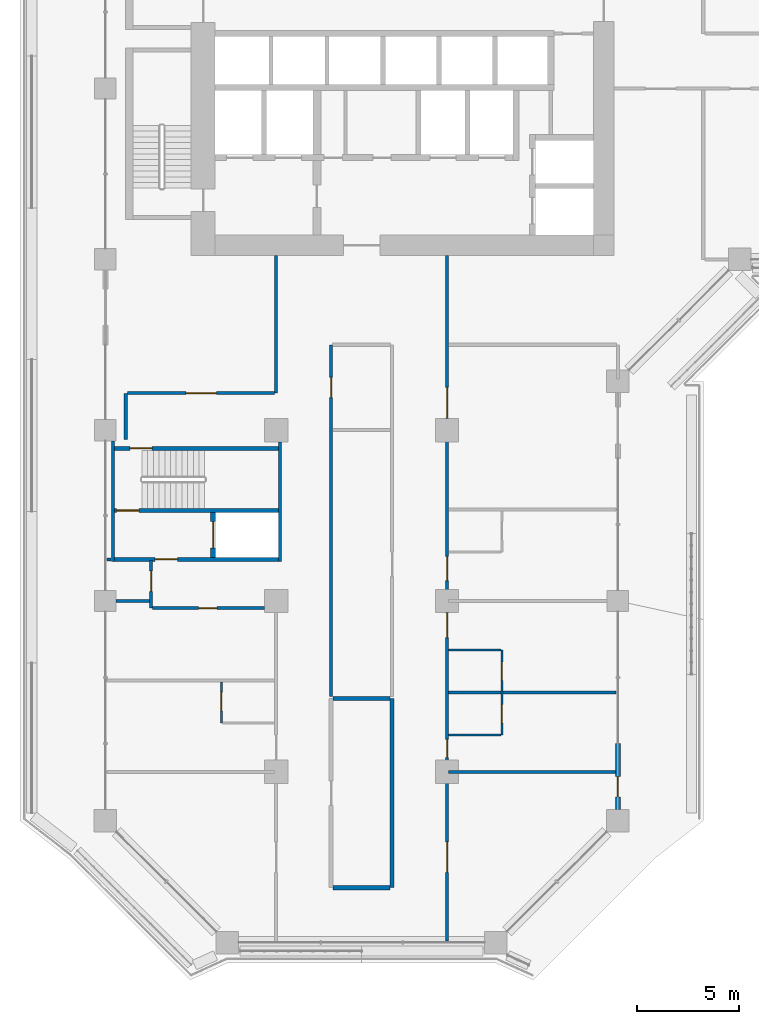
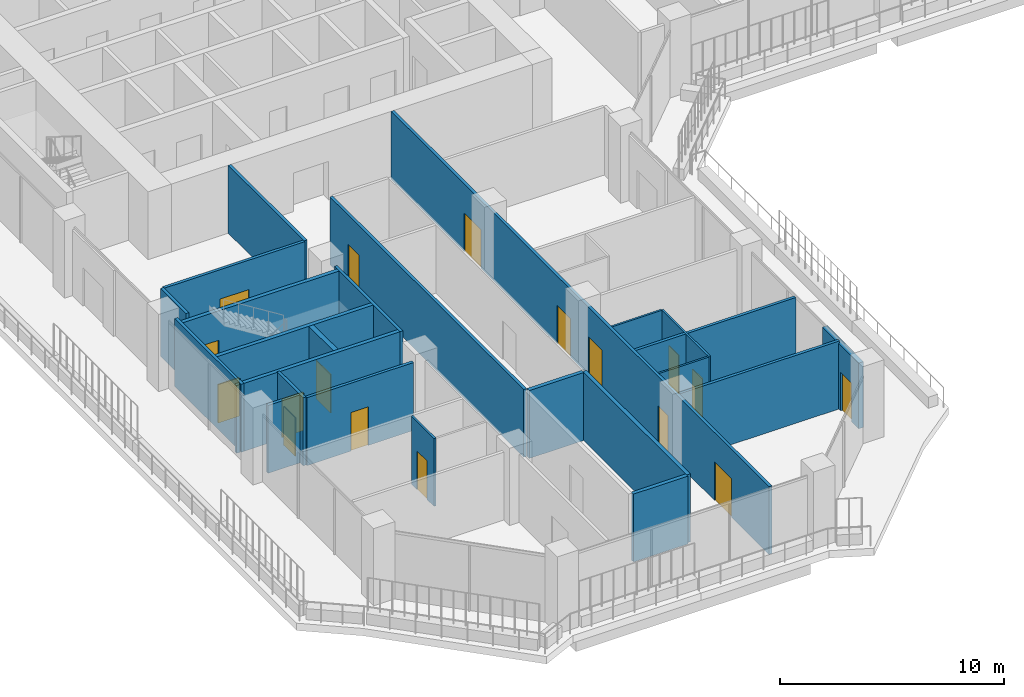
# One storey, part 11 of 23: 25 walls, 17 doors, 17 openings.
"""IFC4 building model written with IfcOpenShell, lengths in metres."""

from ifc_helpers import new_model, si_unit, direction, frame, frame_2d, origin, place, context, subcontext, project, spatial, rectangle, extrude, material, layer, layer_set, type_object, element, fill, save


model = new_model("IFC4")

# Units and contexts
model_context = context("Model", 3, precision=1e-05, world=origin(), true_north=direction((0.0, 1.0)))
body_context = subcontext(model_context, "Body", "Model", "MODEL_VIEW")
ifc_project = project(units=[si_unit("LENGTHUNIT", "METRE"), si_unit("AREAUNIT", "SQUARE_METRE"), si_unit("VOLUMEUNIT", "CUBIC_METRE"), si_unit("PLANEANGLEUNIT", "RADIAN"), si_unit("MASSUNIT", "GRAM", prefix="KILO")], contexts=[model_context])

# Site, building, storey
site_placement = place(None, origin())
site = spatial("IfcSite", under=ifc_project, at=site_placement, CompositionType="ELEMENT")
building_placement = place(site_placement, origin())
building = spatial("IfcBuilding", under=site, at=building_placement, Name="Kawkab Arch Medical Tower", CompositionType="ELEMENT")
storey_placement = place(building_placement, frame((0.0, 0.0, 149.199951171875)))
storey = spatial("IfcBuildingStorey", under=building, at=storey_placement, Name="L34", CompositionType="ELEMENT", Elevation=149.199951171875)

# Wall, opening, door
ifc_material_1 = material(Name="Concrete C60/75", Category="concrete")
ifc_layer_1 = layer(ifc_material_1, 0.25)
ifc_layer_set_1 = layer_set([ifc_layer_1], Name="Concrete C60/75")
wall_type_1 = type_object("IfcWallType", Name="Core shear wall 250 C60/75", PredefinedType="SHEAR", material=ifc_layer_set_1)
wall_1_placement = place(storey_placement, frame((5.300048828125, -39.85009765625, 0.0), z_axis=(0.0, 0.0, 1.0), x_axis=(0.0, 1.0, 0.0)))
wall_1 = element("IfcWall", 1, at=wall_1_placement, inside=storey, type_object=wall_type_1, Name="L34 core shear wall", PredefinedType="SHEAR", context=body_context, shape_type="SweptSolid", body=[
    extrude(rectangle(XDim=2.2001953125, YDim=0.25, at=frame_2d((1.10009765625, 0.0))), origin(), (0.0, 0.0, 1.0), 3.699951171875),
])
opening_1_placement = place(wall_1_placement, frame((0.449951171875, 0.0, 0.0)))
opening_1 = element("IfcOpeningElement", 2, at=opening_1_placement, cuts=wall_1, Name="Opening LD2", PredefinedType="OPENING", context=body_context, shape_type="SweptSolid", body=[
    extrude(rectangle(XDim=1.300048828125, YDim=2.10009765625, at=frame_2d((0.64990234375, 1.050048828125))), frame((0.0, 0.135009765625, 0.0), z_axis=(0.0, -1.0, 0.0), x_axis=(1.0, 0.0, 0.0)), (0.0, 0.0, 1.0), 0.27001953125),
])
ifc_material_2 = material(Name="Stainless steel lift door leaf", Category="steel")
door_type_1 = type_object("IfcDoorType", Name="Lift landing door 1300", OperationType="DOUBLE_DOOR_SLIDING", PredefinedType="DOOR", material=ifc_material_2)
door_1_placement = place(opening_1_placement, origin())
door_1 = element("IfcDoor", 3, at=door_1_placement, inside=storey, type_object=door_type_1, Name="L34 Lift landing door SV2", OperationType="DOUBLE_DOOR_SLIDING", OverallHeight=2.10009765625, OverallWidth=1.300048828125, PredefinedType="DOOR", context=body_context, shape_type="SweptSolid", body=[
    extrude(rectangle(XDim=1.300048828125, YDim=2.10009765625, at=frame_2d((0.64990234375, 1.050048828125))), frame((0.0, 0.02490234375, 0.0), z_axis=(0.0, -1.0, 0.0), x_axis=(1.0, 0.0, 0.0)), (0.0, 0.0, 1.0), 0.050048828125),
])
fill(opening_1, door_1)

ifc_material_3 = material(Name="Bronze clad insulated wall panel")
ifc_layer_2 = layer(ifc_material_3, 0.25)
ifc_layer_set_2 = layer_set([ifc_layer_2], Name="Bronze clad insulated wall panel")
wall_type_2 = type_object("IfcWallType", Name="External wall bay 250", PredefinedType="SOLIDWALL", material=ifc_layer_set_2)
wall_2_placement = place(storey_placement, frame((25.199951171875, -52.25, 0.0), z_axis=(0.0, 0.0, 1.0), x_axis=(0.0, 1.0, 0.0)))
wall_2 = element("IfcWall", 4, at=wall_2_placement, inside=storey, type_object=wall_type_2, Name="External wall bay L34.R05.1.1", PredefinedType="SOLIDWALL", context=body_context, shape_type="SweptSolid", body=[
    extrude(rectangle(XDim=3.24169921875, YDim=0.25, at=frame_2d((1.620849609375, 0.0))), origin(), (0.0, 0.0, 1.0), 3.580078125),
])
opening_2_placement = place(wall_2_placement, frame((0.620849609375, 0.0, 0.0)))
opening_2 = element("IfcOpeningElement", 5, at=opening_2_placement, cuts=wall_2, Name="Opening W29-702", PredefinedType="OPENING", context=body_context, shape_type="SweptSolid", body=[
    extrude(rectangle(XDim=1.0, YDim=2.10009765625, at=frame_2d((0.5, 1.050048828125))), frame((0.0, 0.135009765625, 0.0), z_axis=(0.0, -1.0, 0.0), x_axis=(1.0, 0.0, 0.0)), (0.0, 0.0, 1.0), 0.27001953125),
])
ifc_material_4 = material(Name="Bronze anodised aluminium door with tinted glass", Category="aluminium")
door_type_2 = type_object("IfcDoorType", Name="Single external door 1000 x 2100", OperationType="SINGLE_SWING_LEFT", PredefinedType="DOOR", material=ifc_material_4)
door_2_placement = place(opening_2_placement, origin())
door_2 = element("IfcDoor", 6, at=door_2_placement, inside=storey, type_object=door_type_2, Name="External door L34.R05.1.1", OperationType="SINGLE_SWING_LEFT", OverallHeight=2.10009765625, OverallWidth=1.0, PredefinedType="DOOR", context=body_context, shape_type="SweptSolid", body=[
    extrude(rectangle(XDim=1.0, YDim=2.10009765625, at=frame_2d((0.5, 1.050048828125))), frame((0.0, 0.02490234375, 0.0), z_axis=(0.0, -1.0, 0.0), x_axis=(1.0, 0.0, 0.0)), (0.0, 0.0, 1.0), 0.050048828125),
])
fill(opening_2, door_2)

# Walls
ifc_material_5 = material(Name="Gypsum board partition on steel studs", Category="steel")
ifc_layer_3 = layer(ifc_material_5, 0.10009765625)
ifc_layer_set_3 = layer_set([ifc_layer_3], Name="Gypsum board partition on steel studs")
wall_type_3 = type_object("IfcWallType", Name="Partition 100", PredefinedType="PARTITIONING", material=ifc_layer_set_3)
for number, where, z_axis, x_axis, name in (
    (7, (16.875, -48.60009765625, 0.0), (0.0, 0.0, 1.0), (1.0, 0.0, 0.0), "Partition 100 w001"),
    (8, (16.875, -44.39990234375, 0.0), (0.0, 0.0, 1.0), (1.0, 0.0, 0.0), "Partition 100 w003"),
):
    element("IfcWall", number, at=place(storey_placement, frame(where, z_axis=z_axis, x_axis=x_axis)), inside=storey, type_object=wall_type_3, Name=name, PredefinedType="PARTITIONING", context=body_context, shape_type="SweptSolid", body=[
        extrude(rectangle(XDim=2.574951171875, YDim=0.10009765625, at=frame_2d((1.28759765625, 0.0))), origin(), (0.0, 0.0, 1.0), 3.699951171875),
    ])

# Wall, opening, door
wall_3_placement = place(storey_placement, frame((5.699951171875, -48.0, 0.0), z_axis=(0.0, 0.0, 1.0), x_axis=(0.0, 1.0, 0.0)))
wall_3 = element("IfcWall", 9, at=wall_3_placement, inside=storey, type_object=wall_type_3, Name="Partition 100 w011", PredefinedType="PARTITIONING", context=body_context, shape_type="SweptSolid", body=[
    extrude(rectangle(XDim=2.02490234375, YDim=0.10009765625, at=frame_2d((1.012451171875, 0.0))), origin(), (0.0, 0.0, 1.0), 3.699951171875),
])
opening_3_placement = place(wall_3_placement, frame((0.60009765625, 0.0, 0.0)))
opening_3 = element("IfcOpeningElement", 10, at=opening_3_placement, cuts=wall_3, Name="Opening W29-019", PredefinedType="OPENING", context=body_context, shape_type="SweptSolid", body=[
    extrude(rectangle(XDim=0.89990234375, YDim=2.10009765625, at=frame_2d((0.449951171875, 1.050048828125))), frame((0.0, 0.06005859375, 0.0), z_axis=(0.0, -1.0, 0.0), x_axis=(1.0, 0.0, 0.0)), (0.0, 0.0, 1.0), 0.1201171875),
])
ifc_material_6 = material(Name="Timber door leaf", Category="wood")
door_type_3 = type_object("IfcDoorType", Name="Single door 900x2100", OperationType="NOTDEFINED", PredefinedType="DOOR", material=ifc_material_6)
door_3_placement = place(opening_3_placement, origin())
door_3 = element("IfcDoor", 11, at=door_3_placement, inside=storey, type_object=door_type_3, Name="Door W29-019", OperationType="SINGLE_SWING_LEFT", OverallHeight=2.10009765625, OverallWidth=0.89990234375, PredefinedType="DOOR", context=body_context, shape_type="SweptSolid", body=[
    extrude(rectangle(XDim=0.89990234375, YDim=2.10009765625, at=frame_2d((0.449951171875, 1.050048828125))), frame((0.0, 0.02490234375, 0.0), z_axis=(0.0, -1.0, 0.0), x_axis=(1.0, 0.0, 0.0)), (0.0, 0.0, 1.0), 0.050048828125),
])
fill(opening_3, door_3)

# Wall, openings, doors
wall_4_placement = place(storey_placement, frame((19.5, -48.60009765625, 0.0), z_axis=(0.0, 0.0, 1.0), x_axis=(0.0, 1.0, 0.0)))
wall_4 = element("IfcWall", 12, at=wall_4_placement, inside=storey, type_object=wall_type_3, Name="Partition 100 w012", PredefinedType="PARTITIONING", context=body_context, shape_type="SweptSolid", body=[
    extrude(rectangle(XDim=4.2001953125, YDim=0.10009765625, at=frame_2d((2.10009765625, 0.0))), origin(), (0.0, 0.0, 1.0), 3.699951171875),
])
opening_4_placement = place(wall_4_placement, frame((2.699951171875, 0.0, 0.0)))
opening_4 = element("IfcOpeningElement", 13, at=opening_4_placement, cuts=wall_4, Name="Opening W29-021", PredefinedType="OPENING", context=body_context, shape_type="SweptSolid", body=[
    extrude(rectangle(XDim=0.89990234375, YDim=2.10009765625, at=frame_2d((0.449951171875, 1.050048828125))), frame((0.0, 0.06005859375, 0.0), z_axis=(0.0, -1.0, 0.0), x_axis=(1.0, 0.0, 0.0)), (0.0, 0.0, 1.0), 0.1201171875),
])
opening_5_placement = place(wall_4_placement, frame((0.60009765625, 0.0, 0.0)))
opening_5 = element("IfcOpeningElement", 14, at=opening_5_placement, cuts=wall_4, Name="Opening W29-022", PredefinedType="OPENING", context=body_context, shape_type="SweptSolid", body=[
    extrude(rectangle(XDim=0.89990234375, YDim=2.10009765625, at=frame_2d((0.449951171875, 1.050048828125))), frame((0.0, 0.06005859375, 0.0), z_axis=(0.0, -1.0, 0.0), x_axis=(1.0, 0.0, 0.0)), (0.0, 0.0, 1.0), 0.1201171875),
])
door_4_placement = place(opening_4_placement, origin())
door_4 = element("IfcDoor", 15, at=door_4_placement, inside=storey, type_object=door_type_3, Name="Door W29-021", OperationType="SINGLE_SWING_LEFT", OverallHeight=2.10009765625, OverallWidth=0.89990234375, PredefinedType="DOOR", context=body_context, shape_type="SweptSolid", body=[
    extrude(rectangle(XDim=0.89990234375, YDim=2.10009765625, at=frame_2d((0.449951171875, 1.050048828125))), frame((0.0, 0.02490234375, 0.0), z_axis=(0.0, -1.0, 0.0), x_axis=(1.0, 0.0, 0.0)), (0.0, 0.0, 1.0), 0.050048828125),
])
fill(opening_4, door_4)
door_5_placement = place(opening_5_placement, origin())
door_5 = element("IfcDoor", 16, at=door_5_placement, inside=storey, type_object=door_type_3, Name="Door W29-022", OperationType="SINGLE_SWING_RIGHT", OverallHeight=2.10009765625, OverallWidth=0.89990234375, PredefinedType="DOOR", context=body_context, shape_type="SweptSolid", body=[
    extrude(rectangle(XDim=0.89990234375, YDim=2.10009765625, at=frame_2d((0.449951171875, 1.050048828125))), frame((0.0, 0.02490234375, 0.0), z_axis=(0.0, -1.0, 0.0), x_axis=(1.0, 0.0, 0.0)), (0.0, 0.0, 1.0), 0.050048828125),
])
fill(opening_5, door_5)

# Walls
ifc_material_7 = material(Name="Gypsum board partition on steel studs, mineral wool", Category="steel")
ifc_layer_4 = layer(ifc_material_7, 0.14990234375)
ifc_layer_set_4 = layer_set([ifc_layer_4], Name="Gypsum board partition on steel studs, mineral wool")
wall_type_4 = type_object("IfcWallType", Name="Partition 150", PredefinedType="PARTITIONING", material=ifc_layer_set_4)
for number, where, z_axis, x_axis, name in (
    (17, (16.875, -50.39990234375, 0.0), (0.0, 0.0, 1.0), (1.0, 0.0, 0.0), "Partition 150 w023"),
    (18, (16.875, -46.5, 0.0), (0.0, 0.0, 1.0), (1.0, 0.0, 0.0), "Partition 150 w024"),
):
    element("IfcWall", number, at=place(storey_placement, frame(where, z_axis=z_axis, x_axis=x_axis)), inside=storey, type_object=wall_type_4, Name=name, PredefinedType="PARTITIONING", context=body_context, shape_type="SweptSolid", body=[
        extrude(rectangle(XDim=8.2451171875, YDim=0.14990234375, at=frame_2d((4.12255859375, 0.0))), origin(), (0.0, 0.0, 1.0), 3.699951171875),
    ])

# Wall, opening, door
wall_5_placement = place(storey_placement, frame((2.326904296875, -42.35009765625, 0.0), z_axis=(0.0, 0.0, 1.0), x_axis=(1.0, 0.0, 0.0)))
wall_5 = element("IfcWall", 19, at=wall_5_placement, inside=storey, type_object=wall_type_4, Name="Partition 150 w026", PredefinedType="PARTITIONING", context=body_context, shape_type="SweptSolid", body=[
    extrude(rectangle(XDim=5.498046875, YDim=0.14990234375, at=frame_2d((2.7490234375, 0.0))), origin(), (0.0, 0.0, 1.0), 3.699951171875),
])
opening_6_placement = place(wall_5_placement, frame((2.260986328125, 0.0, 0.0)))
opening_6 = element("IfcOpeningElement", 20, at=opening_6_placement, cuts=wall_5, Name="Opening W29-018", PredefinedType="OPENING", context=body_context, shape_type="SweptSolid", body=[
    extrude(rectangle(XDim=0.89990234375, YDim=2.10009765625, at=frame_2d((0.449951171875, 1.050048828125))), frame((0.0, 0.0849609375, 0.0), z_axis=(0.0, -1.0, 0.0), x_axis=(1.0, 0.0, 0.0)), (0.0, 0.0, 1.0), 0.169921875),
])
door_6_placement = place(opening_6_placement, origin())
door_6 = element("IfcDoor", 21, at=door_6_placement, inside=storey, type_object=door_type_3, Name="Door W29-018", OperationType="SINGLE_SWING_RIGHT", OverallHeight=2.10009765625, OverallWidth=0.89990234375, PredefinedType="DOOR", context=body_context, shape_type="SweptSolid", body=[
    extrude(rectangle(XDim=0.89990234375, YDim=2.10009765625, at=frame_2d((0.449951171875, 1.050048828125))), frame((0.0, 0.02490234375, 0.0), z_axis=(0.0, -1.0, 0.0), x_axis=(1.0, 0.0, 0.0)), (0.0, 0.0, 1.0), 0.050048828125),
])
fill(opening_6, door_6)

# Walls
wall_6_placement = place(storey_placement, frame((0.52490234375, -42.0, 0.0), z_axis=(0.0, 0.0, 1.0), x_axis=(1.0, 0.0, 0.0)))
element("IfcWall", 22, at=wall_6_placement, inside=storey, type_object=wall_type_4, Name="Partition 150 w027", PredefinedType="PARTITIONING", context=body_context, shape_type="SweptSolid", body=[
    extrude(rectangle(XDim=1.650146484375, YDim=0.14990234375, at=frame_2d((0.8251953125, 0.0))), origin(), (0.0, 0.0, 1.0), 3.699951171875),
])
wall_7_placement = place(storey_placement, frame((0.080078125, -39.949951171875, 0.0), z_axis=(0.0, 0.0, 1.0), x_axis=(1.0, 0.0, 0.0)))
element("IfcWall", 23, at=wall_7_placement, inside=storey, type_object=wall_type_4, Name="Partition 150 w029", PredefinedType="PARTITIONING", context=body_context, shape_type="SweptSolid", body=[
    extrude(rectangle(XDim=0.18994140625, YDim=0.14990234375, at=frame_2d((0.094970703125, 0.0))), origin(), (0.0, 0.0, 1.0), 3.699951171875),
])

# Wall, opening, door
wall_8_placement = place(storey_placement, frame((1.0791015625, -31.781982421875, 0.0), z_axis=(0.0, 0.0, 1.0), x_axis=(1.0, 0.0, 0.0)))
wall_8 = element("IfcWall", 24, at=wall_8_placement, inside=storey, type_object=wall_type_4, Name="Partition 150 w032", PredefinedType="PARTITIONING", context=body_context, shape_type="SweptSolid", body=[
    extrude(rectangle(XDim=7.245849609375, YDim=0.14990234375, at=frame_2d((3.623046875, 0.0))), origin(), (0.0, 0.0, 1.0), 3.699951171875),
])
opening_7_placement = place(wall_8_placement, frame((2.873046875, 0.0, 0.0)))
opening_7 = element("IfcOpeningElement", 25, at=opening_7_placement, cuts=wall_8, Name="Opening W29-005", PredefinedType="OPENING", context=body_context, shape_type="SweptSolid", body=[
    extrude(rectangle(XDim=1.5, YDim=2.10009765625, at=frame_2d((0.75, 1.050048828125))), frame((0.0, 0.0849609375, 0.0), z_axis=(0.0, -1.0, 0.0), x_axis=(1.0, 0.0, 0.0)), (0.0, 0.0, 1.0), 0.169921875),
])
ifc_material_8 = material(Name="Hollow metal door leaf")
door_type_4 = type_object("IfcDoorType", Name="Double door 1500x2100 FD30S", OperationType="NOTDEFINED", PredefinedType="DOOR", material=ifc_material_8)
door_7_placement = place(opening_7_placement, origin())
door_7 = element("IfcDoor", 26, at=door_7_placement, inside=storey, type_object=door_type_4, Name="Door W29-005", OperationType="DOUBLE_DOOR_SINGLE_SWING", OverallHeight=2.10009765625, OverallWidth=1.5, PredefinedType="DOOR", context=body_context, shape_type="SweptSolid", body=[
    extrude(rectangle(XDim=1.5, YDim=2.10009765625, at=frame_2d((0.75, 1.050048828125))), frame((0.0, 0.02490234375, 0.0), z_axis=(0.0, -1.0, 0.0), x_axis=(1.0, 0.0, 0.0)), (0.0, 0.0, 1.0), 0.050048828125),
])
fill(opening_7, door_7)

# Wall
wall_9_placement = place(storey_placement, frame((1.0, -34.048095703125, 0.0), z_axis=(0.0, 0.0, 1.0), x_axis=(0.0, 1.0, 0.0)))
element("IfcWall", 27, at=wall_9_placement, inside=storey, type_object=wall_type_4, Name="Partition 150 w051", PredefinedType="PARTITIONING", context=body_context, shape_type="SweptSolid", body=[
    extrude(rectangle(XDim=2.26318359375, YDim=0.14990234375, at=frame_2d((1.131591796875, 0.0))), origin(), (0.0, 0.0, 1.0), 3.699951171875),
])

# Wall, opening, door
wall_10_placement = place(storey_placement, frame((2.25, -42.347900390625, 0.0), z_axis=(0.0, 0.0, 1.0), x_axis=(0.0, 1.0, 0.0)))
wall_10 = element("IfcWall", 28, at=wall_10_placement, inside=storey, type_object=wall_type_4, Name="Partition 150 w052", PredefinedType="PARTITIONING", context=body_context, shape_type="SweptSolid", body=[
    extrude(rectangle(XDim=2.347900390625, YDim=0.14990234375, at=frame_2d((1.173828125, 0.0))), origin(), (0.0, 0.0, 1.0), 3.699951171875),
])
opening_8_placement = place(wall_10_placement, frame((0.822998046875, 0.0, 0.0)))
opening_8 = element("IfcOpeningElement", 29, at=opening_8_placement, cuts=wall_10, Name="Opening W29-031", PredefinedType="OPENING", context=body_context, shape_type="SweptSolid", body=[
    extrude(rectangle(XDim=1.0, YDim=2.10009765625, at=frame_2d((0.5, 1.050048828125))), frame((0.0, 0.0849609375, 0.0), z_axis=(0.0, -1.0, 0.0), x_axis=(1.0, 0.0, 0.0)), (0.0, 0.0, 1.0), 0.169921875),
])
ifc_material_9 = material(Name="Hollow metal door leaf")
door_type_5 = type_object("IfcDoorType", Name="Single door 1000x2100 FD30S", OperationType="NOTDEFINED", PredefinedType="DOOR", material=ifc_material_9)
door_8_placement = place(opening_8_placement, origin())
door_8 = element("IfcDoor", 30, at=door_8_placement, inside=storey, type_object=door_type_5, Name="Door W29-031", OperationType="SINGLE_SWING_RIGHT", OverallHeight=2.10009765625, OverallWidth=1.0, PredefinedType="DOOR", context=body_context, shape_type="SweptSolid", body=[
    extrude(rectangle(XDim=1.0, YDim=2.10009765625, at=frame_2d((0.5, 1.050048828125))), frame((0.0, 0.02490234375, 0.0), z_axis=(0.0, -1.0, 0.0), x_axis=(1.0, 0.0, 0.0)), (0.0, 0.0, 1.0), 0.050048828125),
])
fill(opening_8, door_8)

# Wall
wall_11_placement = place(storey_placement, frame((8.39990234375, -31.781982421875, 0.0), z_axis=(0.0, 0.0, 1.0), x_axis=(0.0, 1.0, 0.0)))
element("IfcWall", 31, at=wall_11_placement, inside=storey, type_object=wall_type_4, Name="Partition 150 w054", PredefinedType="PARTITIONING", context=body_context, shape_type="SweptSolid", body=[
    extrude(rectangle(XDim=6.781982421875, YDim=0.14990234375, at=frame_2d((3.39111328125, 0.0))), origin(), (0.0, 0.0, 1.0), 3.699951171875),
])

# Wall, opening, door
wall_12_placement = place(storey_placement, frame((11.10009765625, -46.699951171875, 0.0), z_axis=(0.0, 0.0, 1.0), x_axis=(0.0, 1.0, 0.0)))
wall_12 = element("IfcWall", 32, at=wall_12_placement, inside=storey, type_object=wall_type_4, Name="Partition 150 w055", PredefinedType="PARTITIONING", context=body_context, shape_type="SweptSolid", body=[
    extrude(rectangle(XDim=17.300048828125, YDim=0.14990234375, at=frame_2d((8.64990234375, 0.0))), origin(), (0.0, 0.0, 1.0), 3.699951171875),
])
opening_9_placement = place(wall_12_placement, frame((14.699951171875, 0.0, 0.0)))
opening_9 = element("IfcOpeningElement", 33, at=opening_9_placement, cuts=wall_12, Name="Opening W29-032", PredefinedType="OPENING", context=body_context, shape_type="SweptSolid", body=[
    extrude(rectangle(XDim=1.0, YDim=2.10009765625, at=frame_2d((0.5, 1.050048828125))), frame((0.0, 0.0849609375, 0.0), z_axis=(0.0, -1.0, 0.0), x_axis=(1.0, 0.0, 0.0)), (0.0, 0.0, 1.0), 0.169921875),
])
door_9_placement = place(opening_9_placement, origin())
door_9 = element("IfcDoor", 34, at=door_9_placement, inside=storey, type_object=door_type_5, Name="Door W29-032", OperationType="SINGLE_SWING_LEFT", OverallHeight=2.10009765625, OverallWidth=1.0, PredefinedType="DOOR", context=body_context, shape_type="SweptSolid", body=[
    extrude(rectangle(XDim=1.0, YDim=2.10009765625, at=frame_2d((0.5, 1.050048828125))), frame((0.0, 0.02490234375, 0.0), z_axis=(0.0, -1.0, 0.0), x_axis=(1.0, 0.0, 0.0)), (0.0, 0.0, 1.0), 0.050048828125),
])
fill(opening_9, door_9)

# Wall, openings, doors
wall_13_placement = place(storey_placement, frame((16.800048828125, -58.719970703125, 0.0), z_axis=(0.0, 0.0, 1.0), x_axis=(0.0, 1.0, 0.0)))
wall_13 = element("IfcWall", 35, at=wall_13_placement, inside=storey, type_object=wall_type_4, Name="Partition 150 w057", PredefinedType="PARTITIONING", context=body_context, shape_type="SweptSolid", body=[
    extrude(rectangle(XDim=33.719970703125, YDim=0.14990234375, at=frame_2d((16.85986328125, 0.0))), origin(), (0.0, 0.0, 1.0), 3.699951171875),
])
opening_10_placement = place(wall_13_placement, frame((25.719970703125, 0.0, 0.0)))
opening_10 = element("IfcOpeningElement", 36, at=opening_10_placement, cuts=wall_13, Name="Opening W29-007", PredefinedType="OPENING", context=body_context, shape_type="SweptSolid", body=[
    extrude(rectangle(XDim=1.5, YDim=2.10009765625, at=frame_2d((0.75, 1.050048828125))), frame((0.0, 0.0849609375, 0.0), z_axis=(0.0, -1.0, 0.0), x_axis=(1.0, 0.0, 0.0)), (0.0, 0.0, 1.0), 0.169921875),
])
opening_11_placement = place(wall_13_placement, frame((17.719970703125, 0.0, 0.0)))
opening_11 = element("IfcOpeningElement", 37, at=opening_11_placement, cuts=wall_13, Name="Opening W29-046", PredefinedType="OPENING", context=body_context, shape_type="SweptSolid", body=[
    extrude(rectangle(XDim=1.199951171875, YDim=2.10009765625, at=frame_2d((0.60009765625, 1.050048828125))), frame((0.0, 0.0849609375, 0.0), z_axis=(0.0, -1.0, 0.0), x_axis=(1.0, 0.0, 0.0)), (0.0, 0.0, 1.0), 0.169921875),
])
opening_12_placement = place(wall_13_placement, frame((14.919921875, 0.0, 0.0)))
opening_12 = element("IfcOpeningElement", 38, at=opening_12_placement, cuts=wall_13, Name="Opening W29-047", PredefinedType="OPENING", context=body_context, shape_type="SweptSolid", body=[
    extrude(rectangle(XDim=1.199951171875, YDim=2.10009765625, at=frame_2d((0.60009765625, 1.050048828125))), frame((0.0, 0.0849609375, 0.0), z_axis=(0.0, -1.0, 0.0), x_axis=(1.0, 0.0, 0.0)), (0.0, 0.0, 1.0), 0.169921875),
])
opening_13_placement = place(wall_13_placement, frame((9.02001953125, 0.0, 0.0)))
opening_13 = element("IfcOpeningElement", 39, at=opening_13_placement, cuts=wall_13, Name="Opening W29-024", PredefinedType="OPENING", context=body_context, shape_type="SweptSolid", body=[
    extrude(rectangle(XDim=0.89990234375, YDim=2.10009765625, at=frame_2d((0.449951171875, 1.050048828125))), frame((0.0, 0.0849609375, 0.0), z_axis=(0.0, -1.0, 0.0), x_axis=(1.0, 0.0, 0.0)), (0.0, 0.0, 1.0), 0.169921875),
])
opening_14_placement = place(wall_13_placement, frame((3.3701171875, 0.0, 0.0)))
opening_14 = element("IfcOpeningElement", 40, at=opening_14_placement, cuts=wall_13, Name="Opening W29-008", PredefinedType="OPENING", context=body_context, shape_type="SweptSolid", body=[
    extrude(rectangle(XDim=1.5, YDim=2.10009765625, at=frame_2d((0.75, 1.050048828125))), frame((0.0, 0.0849609375, 0.0), z_axis=(0.0, -1.0, 0.0), x_axis=(1.0, 0.0, 0.0)), (0.0, 0.0, 1.0), 0.169921875),
])
door_10_placement = place(opening_10_placement, origin())
door_10 = element("IfcDoor", 41, at=door_10_placement, inside=storey, type_object=door_type_4, Name="Door W29-007", OperationType="DOUBLE_DOOR_SINGLE_SWING", OverallHeight=2.10009765625, OverallWidth=1.5, PredefinedType="DOOR", context=body_context, shape_type="SweptSolid", body=[
    extrude(rectangle(XDim=1.5, YDim=2.10009765625, at=frame_2d((0.75, 1.050048828125))), frame((0.0, 0.02490234375, 0.0), z_axis=(0.0, -1.0, 0.0), x_axis=(1.0, 0.0, 0.0)), (0.0, 0.0, 1.0), 0.050048828125),
])
fill(opening_10, door_10)
door_11_placement = place(opening_14_placement, origin())
door_11 = element("IfcDoor", 42, at=door_11_placement, inside=storey, type_object=door_type_4, Name="Door W29-008", OperationType="DOUBLE_DOOR_SINGLE_SWING", OverallHeight=2.10009765625, OverallWidth=1.5, PredefinedType="DOOR", context=body_context, shape_type="SweptSolid", body=[
    extrude(rectangle(XDim=1.5, YDim=2.10009765625, at=frame_2d((0.75, 1.050048828125))), frame((0.0, 0.02490234375, 0.0), z_axis=(0.0, -1.0, 0.0), x_axis=(1.0, 0.0, 0.0)), (0.0, 0.0, 1.0), 0.050048828125),
])
fill(opening_14, door_11)
ifc_material_10 = material(Name="Hollow metal door leaf")
door_type_6 = type_object("IfcDoorType", Name="Single door 1200x2100 FD30S", OperationType="NOTDEFINED", PredefinedType="DOOR", material=ifc_material_10)
door_12_placement = place(opening_11_placement, origin())
door_12 = element("IfcDoor", 43, at=door_12_placement, inside=storey, type_object=door_type_6, Name="Door W29-046", OperationType="SINGLE_SWING_LEFT", OverallHeight=2.10009765625, OverallWidth=1.199951171875, PredefinedType="DOOR", context=body_context, shape_type="SweptSolid", body=[
    extrude(rectangle(XDim=1.199951171875, YDim=2.10009765625, at=frame_2d((0.60009765625, 1.050048828125))), frame((0.0, 0.02490234375, 0.0), z_axis=(0.0, -1.0, 0.0), x_axis=(1.0, 0.0, 0.0)), (0.0, 0.0, 1.0), 0.050048828125),
])
fill(opening_11, door_12)
door_13_placement = place(opening_12_placement, origin())
door_13 = element("IfcDoor", 44, at=door_13_placement, inside=storey, type_object=door_type_6, Name="Door W29-047", OperationType="SINGLE_SWING_RIGHT", OverallHeight=2.10009765625, OverallWidth=1.199951171875, PredefinedType="DOOR", context=body_context, shape_type="SweptSolid", body=[
    extrude(rectangle(XDim=1.199951171875, YDim=2.10009765625, at=frame_2d((0.60009765625, 1.050048828125))), frame((0.0, 0.02490234375, 0.0), z_axis=(0.0, -1.0, 0.0), x_axis=(1.0, 0.0, 0.0)), (0.0, 0.0, 1.0), 0.050048828125),
])
fill(opening_12, door_13)
ifc_material_11 = material(Name="Hollow metal door leaf")
door_type_7 = type_object("IfcDoorType", Name="Single door 900x2100 FD30S", OperationType="NOTDEFINED", PredefinedType="DOOR", material=ifc_material_11)
door_14_placement = place(opening_13_placement, origin())
door_14 = element("IfcDoor", 45, at=door_14_placement, inside=storey, type_object=door_type_7, Name="Door W29-024", OperationType="SINGLE_SWING_RIGHT", OverallHeight=2.10009765625, OverallWidth=0.89990234375, PredefinedType="DOOR", context=body_context, shape_type="SweptSolid", body=[
    extrude(rectangle(XDim=0.89990234375, YDim=2.10009765625, at=frame_2d((0.449951171875, 1.050048828125))), frame((0.0, 0.02490234375, 0.0), z_axis=(0.0, -1.0, 0.0), x_axis=(1.0, 0.0, 0.0)), (0.0, 0.0, 1.0), 0.050048828125),
])
fill(opening_13, door_14)

# Walls
ifc_material_12 = material(Name="Fire-rated gypsum board partition on steel studs", Category="steel")
ifc_layer_5 = layer(ifc_material_12, 0.199951171875)
ifc_layer_set_5 = layer_set([ifc_layer_5], Name="Fire-rated gypsum board partition on steel studs")
wall_type_5 = type_object("IfcWallType", Name="Protected partition 200", PredefinedType="PARTITIONING", material=ifc_layer_set_5)
for number, where, z_axis, x_axis, name in (
    (46, (11.199951171875, -56.10009765625, 0.0), (0.0, 0.0, 1.0), (1.0, 0.0, 0.0), "Protected partition 200 w082"),
    (47, (11.199951171875, -46.800048828125, 0.0), (0.0, 0.0, 1.0), (1.0, 0.0, 0.0), "Protected partition 200 w083"),
):
    element("IfcWall", number, at=place(storey_placement, frame(where, z_axis=z_axis, x_axis=x_axis)), inside=storey, type_object=wall_type_5, Name=name, PredefinedType="PARTITIONING", context=body_context, shape_type="SweptSolid", body=[
        extrude(rectangle(XDim=2.800048828125, YDim=0.199951171875, at=frame_2d((1.39990234375, 0.0))), origin(), (0.0, 0.0, 1.0), 3.699951171875),
    ])
wall_14_placement = place(storey_placement, frame((14.10009765625, -56.10009765625, 0.0), z_axis=(0.0, 0.0, 1.0), x_axis=(0.0, 1.0, 0.0)))
element("IfcWall", 48, at=wall_14_placement, inside=storey, type_object=wall_type_5, Name="Protected partition 200 w089", PredefinedType="PARTITIONING", context=body_context, shape_type="SweptSolid", body=[
    extrude(rectangle(XDim=9.300048828125, YDim=0.199951171875, at=frame_2d((4.64990234375, 0.0))), origin(), (0.0, 0.0, 1.0), 3.699951171875),
])
ifc_material_13 = material(Name="Concrete C50/60", Category="concrete")
ifc_layer_6 = layer(ifc_material_13, 0.14990234375)
ifc_layer_set_6 = layer_set([ifc_layer_6], Name="Concrete C50/60")
wall_type_6 = type_object("IfcWallType", Name="Stair enclosure wall 150 C50/60", PredefinedType="SHEAR", material=ifc_layer_set_6)
wall_15_placement = place(storey_placement, frame((0.375, -40.050048828125, 0.0), z_axis=(0.0, 0.0, 1.0), x_axis=(0.0, 1.0, 0.0)))
element("IfcWall", 49, at=wall_15_placement, inside=storey, type_object=wall_type_6, Name="L34 stair enclosure wall", PredefinedType="SHEAR", context=body_context, shape_type="SweptSolid", body=[
    extrude(rectangle(XDim=5.925048828125, YDim=0.14990234375, at=frame_2d((2.96240234375, 0.0))), origin(), (0.0, 0.0, 1.0), 3.699951171875),
])
wall_16_placement = place(storey_placement, frame((8.574951171875, -40.050048828125, 0.0), z_axis=(0.0, 0.0, 1.0), x_axis=(0.0, 1.0, 0.0)))
element("IfcWall", 50, at=wall_16_placement, inside=storey, type_object=wall_type_6, Name="L34 stair enclosure wall", PredefinedType="SHEAR", context=body_context, shape_type="SweptSolid", body=[
    extrude(rectangle(XDim=5.875, YDim=0.14990234375, at=frame_2d((2.9375, 0.0))), origin(), (0.0, 0.0, 1.0), 3.699951171875),
])

# Wall, opening, door
ifc_material_14 = material(Name="Concrete C50/60", Category="concrete")
ifc_layer_7 = layer(ifc_material_14, 0.199951171875)
ifc_layer_set_7 = layer_set([ifc_layer_7], Name="Concrete C50/60")
wall_type_7 = type_object("IfcWallType", Name="Stair enclosure wall 200 C50/60", PredefinedType="SHEAR", material=ifc_layer_set_7)
wall_17_placement = place(storey_placement, frame((0.449951171875, -34.5, 0.0), z_axis=(0.0, 0.0, 1.0), x_axis=(1.0, 0.0, 0.0)))
wall_17 = element("IfcWall", 51, at=wall_17_placement, inside=storey, type_object=wall_type_7, Name="L34 stair enclosure wall", PredefinedType="SHEAR", context=body_context, shape_type="SweptSolid", body=[
    extrude(rectangle(XDim=8.050048828125, YDim=0.199951171875, at=frame_2d((4.02490234375, 0.0))), origin(), (0.0, 0.0, 1.0), 3.699951171875),
])
opening_15_placement = place(wall_17_placement, frame((0.75, 0.0, 0.0)))
opening_15 = element("IfcOpeningElement", 52, at=opening_15_placement, cuts=wall_17, Name="Opening SD", PredefinedType="OPENING", context=body_context, shape_type="SweptSolid", body=[
    extrude(rectangle(XDim=1.10009765625, YDim=2.10009765625, at=frame_2d((0.550048828125, 1.050048828125))), frame((0.0, 0.10986328125, 0.0), z_axis=(0.0, -1.0, 0.0), x_axis=(1.0, 0.0, 0.0)), (0.0, 0.0, 1.0), 0.219970703125),
])
ifc_material_15 = material(Name="Hollow metal fire door leaf")
door_type_8 = type_object("IfcDoorType", Name="Exit stair door 1100", OperationType="SINGLE_SWING_LEFT", PredefinedType="DOOR", material=ifc_material_15)
door_15_placement = place(opening_15_placement, origin())
door_15 = element("IfcDoor", 53, at=door_15_placement, inside=storey, type_object=door_type_8, Name="L34 Exit stair ST6 door", OperationType="SINGLE_SWING_LEFT", OverallHeight=2.10009765625, OverallWidth=1.10009765625, PredefinedType="DOOR", context=body_context, shape_type="SweptSolid", body=[
    extrude(rectangle(XDim=1.10009765625, YDim=2.10009765625, at=frame_2d((0.550048828125, 1.050048828125))), frame((0.0, 0.02490234375, 0.0), z_axis=(0.0, -1.0, 0.0), x_axis=(1.0, 0.0, 0.0)), (0.0, 0.0, 1.0), 0.050048828125),
])
fill(opening_15, door_15)

wall_18_placement = place(storey_placement, frame((0.449951171875, -37.550048828125, 0.0), z_axis=(0.0, 0.0, 1.0), x_axis=(1.0, 0.0, 0.0)))
wall_18 = element("IfcWall", 54, at=wall_18_placement, inside=storey, type_object=wall_type_7, Name="L34 stair enclosure wall", PredefinedType="SHEAR", context=body_context, shape_type="SweptSolid", body=[
    extrude(rectangle(XDim=8.050048828125, YDim=0.199951171875, at=frame_2d((4.02490234375, 0.0))), origin(), (0.0, 0.0, 1.0), 3.699951171875),
])
opening_16_placement = place(wall_18_placement, frame((0.10009765625, 0.0, 0.0)))
opening_16 = element("IfcOpeningElement", 55, at=opening_16_placement, cuts=wall_18, Name="Opening SD", PredefinedType="OPENING", context=body_context, shape_type="SweptSolid", body=[
    extrude(rectangle(XDim=1.10009765625, YDim=2.10009765625, at=frame_2d((0.550048828125, 1.050048828125))), frame((0.0, 0.10986328125, 0.0), z_axis=(0.0, -1.0, 0.0), x_axis=(1.0, 0.0, 0.0)), (0.0, 0.0, 1.0), 0.219970703125),
])
door_16_placement = place(opening_16_placement, frame((1.10009765625, 0.0, 0.0), z_axis=(0.0, 0.0, 1.0), x_axis=(-1.0, 0.0, 0.0)))
door_16 = element("IfcDoor", 56, at=door_16_placement, inside=storey, type_object=door_type_8, Name="L34 Exit stair ST6 lobby door", OperationType="SINGLE_SWING_LEFT", OverallHeight=2.10009765625, OverallWidth=1.10009765625, PredefinedType="DOOR", context=body_context, shape_type="SweptSolid", body=[
    extrude(rectangle(XDim=1.10009765625, YDim=2.10009765625, at=frame_2d((0.550048828125, 1.050048828125))), frame((0.0, 0.02490234375, 0.0), z_axis=(0.0, -1.0, 0.0), x_axis=(1.0, 0.0, 0.0)), (0.0, 0.0, 1.0), 0.050048828125),
])
fill(opening_16, door_16)

wall_19_placement = place(storey_placement, frame((0.449951171875, -39.949951171875, 0.0), z_axis=(0.0, 0.0, 1.0), x_axis=(1.0, 0.0, 0.0)))
wall_19 = element("IfcWall", 57, at=wall_19_placement, inside=storey, type_object=wall_type_7, Name="L34 stair enclosure wall", PredefinedType="SHEAR", context=body_context, shape_type="SweptSolid", body=[
    extrude(rectangle(XDim=8.050048828125, YDim=0.199951171875, at=frame_2d((4.02490234375, 0.0))), origin(), (0.0, 0.0, 1.0), 3.699951171875),
])
opening_17_placement = place(wall_19_placement, frame((2.0, 0.0, 0.0)))
opening_17 = element("IfcOpeningElement", 58, at=opening_17_placement, cuts=wall_19, Name="Opening FD", PredefinedType="OPENING", context=body_context, shape_type="SweptSolid", body=[
    extrude(rectangle(XDim=1.10009765625, YDim=2.10009765625, at=frame_2d((0.550048828125, 1.050048828125))), frame((0.0, 0.10986328125, 0.0), z_axis=(0.0, -1.0, 0.0), x_axis=(1.0, 0.0, 0.0)), (0.0, 0.0, 1.0), 0.219970703125),
])
ifc_material_16 = material(Name="Hollow metal fire door leaf")
door_type_9 = type_object("IfcDoorType", Name="Firefighting lobby door 1100", OperationType="SINGLE_SWING_LEFT", PredefinedType="DOOR", material=ifc_material_16)
door_17_placement = place(opening_17_placement, origin())
door_17 = element("IfcDoor", 59, at=door_17_placement, inside=storey, type_object=door_type_9, Name="L34 Service lift lobby door SV2", OperationType="SINGLE_SWING_LEFT", OverallHeight=2.10009765625, OverallWidth=1.10009765625, PredefinedType="DOOR", context=body_context, shape_type="SweptSolid", body=[
    extrude(rectangle(XDim=1.10009765625, YDim=2.10009765625, at=frame_2d((0.550048828125, 1.050048828125))), frame((0.0, 0.02490234375, 0.0), z_axis=(0.0, -1.0, 0.0), x_axis=(1.0, 0.0, 0.0)), (0.0, 0.0, 1.0), 0.050048828125),
])
fill(opening_17, door_17)

save(model, "model.ifc")
